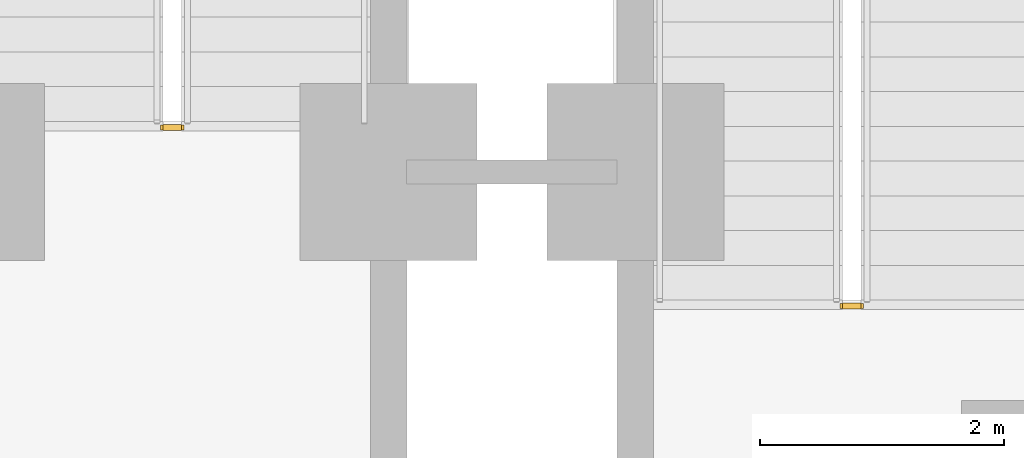
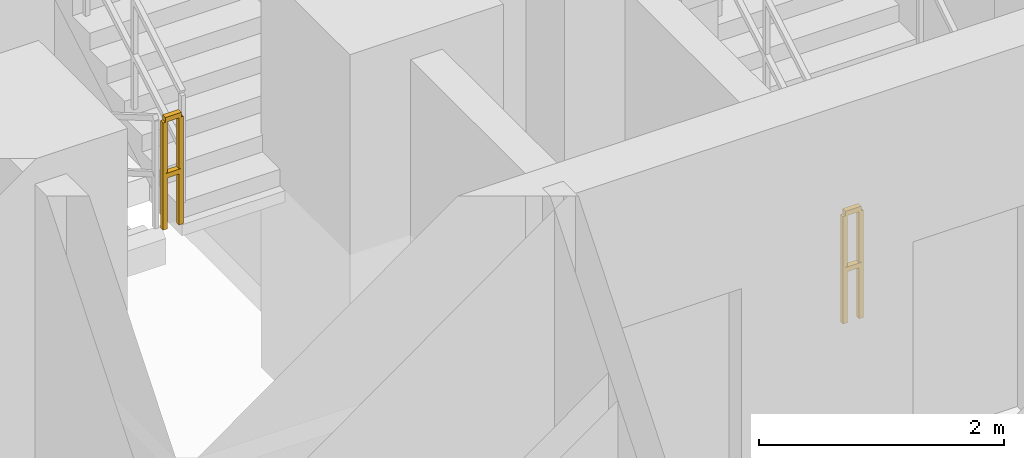
# One storey, part 14 of 17: 2 railings.
"""IFC4 building model written with IfcOpenShell, lengths in metres."""

from ifc_helpers import new_model, si_unit, direction, frame, origin, origin_2d, place, context, subcontext, project, spatial, rectangle, extrude, material, type_object, element, save


model = new_model("IFC4")

# Units and contexts
model_context = context("Model", 3, precision=1e-05, world=origin(), true_north=direction((0.0, 1.0)))
body_context = subcontext(model_context, "Body", "Model", "MODEL_VIEW")
ifc_project = project(units=[si_unit("LENGTHUNIT", "METRE"), si_unit("AREAUNIT", "SQUARE_METRE"), si_unit("VOLUMEUNIT", "CUBIC_METRE"), si_unit("PLANEANGLEUNIT", "RADIAN"), si_unit("MASSUNIT", "GRAM", prefix="KILO")], contexts=[model_context])

# Site, building, storey
site_placement = place(None, origin())
site = spatial("IfcSite", under=ifc_project, at=site_placement, CompositionType="ELEMENT")
building_placement = place(site_placement, origin())
building = spatial("IfcBuilding", under=site, at=building_placement, Name="Apsidion Concourse Tower", CompositionType="ELEMENT")
storey_placement = place(building_placement, frame((0.0, 0.0, 75.0)))
storey = spatial("IfcBuildingStorey", under=building, at=storey_placement, Name="L16", CompositionType="ELEMENT", Elevation=75.0)

# Railings
ifc_material = material(Name="Brushed stainless steel 316", Category="steel")
railing_type = type_object("IfcRailingType", Name="RL-GUARD-1100", PredefinedType="GUARDRAIL", material=ifc_material)
railing_1_placement = place(storey_placement, frame((5.64990234375, 2.949951171875, 0.0)))
element("IfcRailing", 1, at=railing_1_placement, inside=storey, type_object=railing_type, Name="L16 ST2 stair guard 4", PredefinedType="GUARDRAIL", context=body_context, shape_type="SweptSolid", body=[
    extrude(rectangle(XDim=0.048095703125, YDim=0.048095703125, at=origin_2d()), frame((0.0, 0.0, 1.09619140625), z_axis=(-1.0, 0.0, 0.0), x_axis=(0.0, -1.0, 0.0)), (0.0, 0.0, 1.0), 0.14990234375),
    extrude(rectangle(XDim=0.048095703125, YDim=0.048095703125, at=origin_2d()), frame((0.0, 0.0, 0.5361328125), z_axis=(-1.0, 0.0, 0.0), x_axis=(0.0, -1.0, 0.0)), (0.0, 0.0, 1.0), 0.14990234375),
    extrude(rectangle(XDim=0.0419921875, YDim=0.0419921875, at=origin_2d()), origin(), (0.0, 0.0, 1.0), 1.072021484375),
    extrude(rectangle(XDim=0.0419921875, YDim=0.0419921875, at=origin_2d()), frame((-0.14990234375, 0.0, 0.0)), (0.0, 0.0, 1.0), 1.072021484375),
])
railing_2_placement = place(storey_placement, frame((-0.074951171875, 4.4150390625, 2.0)))
element("IfcRailing", 2, at=railing_2_placement, inside=storey, type_object=railing_type, Name="L16 ST3 stair guard 2", PredefinedType="GUARDRAIL", context=body_context, shape_type="SweptSolid", body=[
    extrude(rectangle(XDim=0.048095703125, YDim=0.048095703125, at=origin_2d()), frame((0.0, 0.0, 1.09619140625), z_axis=(1.0, 0.0, 0.0), x_axis=(0.0, 1.0, 0.0)), (0.0, 0.0, 1.0), 0.14990234375),
    extrude(rectangle(XDim=0.048095703125, YDim=0.048095703125, at=origin_2d()), frame((0.0, 0.0, 0.5361328125), z_axis=(1.0, 0.0, 0.0), x_axis=(0.0, 1.0, 0.0)), (0.0, 0.0, 1.0), 0.14990234375),
    extrude(rectangle(XDim=0.0419921875, YDim=0.0419921875, at=origin_2d()), origin(), (0.0, 0.0, 1.0), 1.072021484375),
    extrude(rectangle(XDim=0.0419921875, YDim=0.0419921875, at=origin_2d()), frame((0.14990234375, 0.0, 0.0)), (0.0, 0.0, 1.0), 1.072021484375),
])

save(model, "model.ifc")
